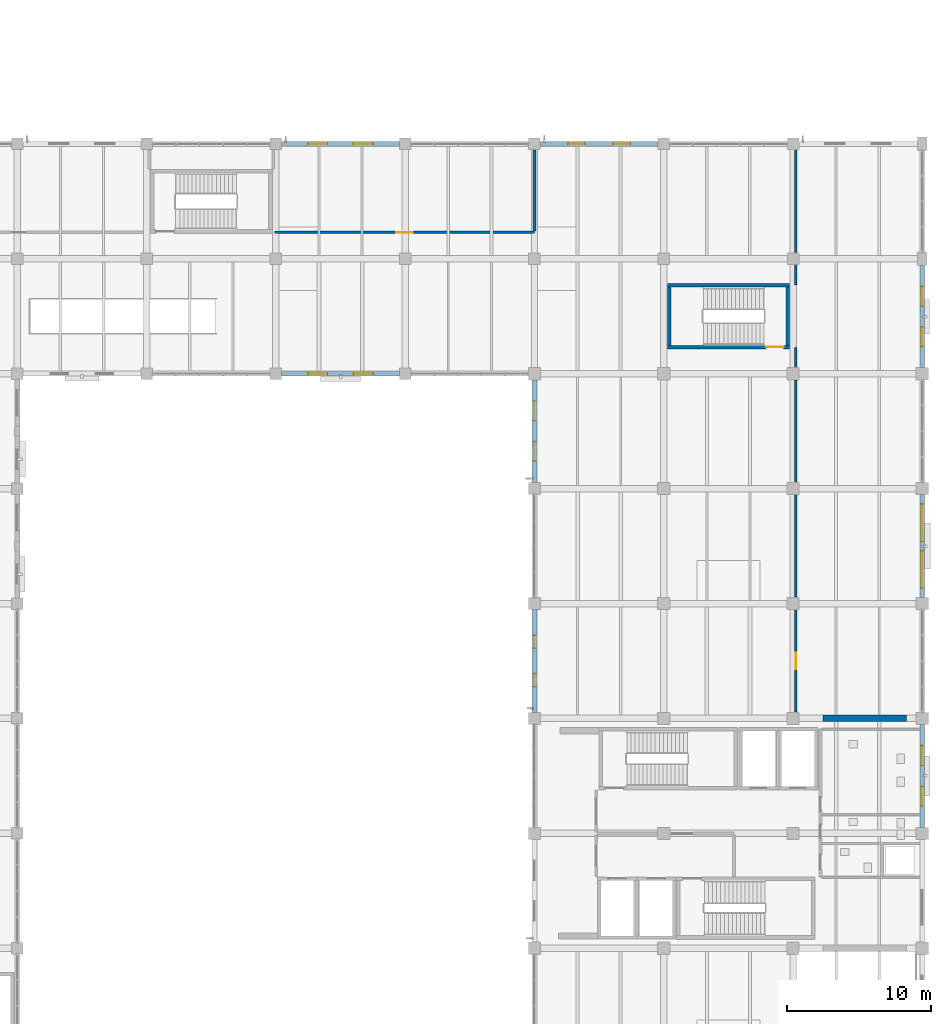
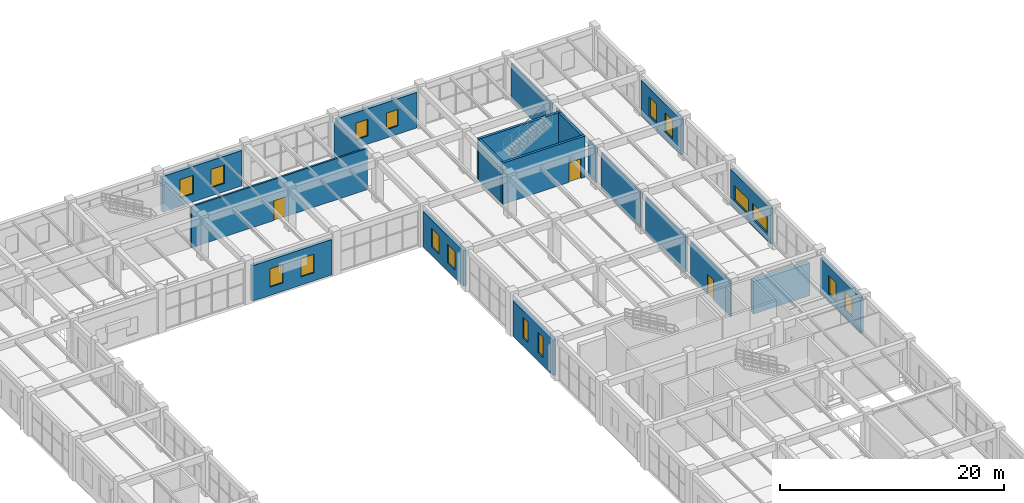
# One storey, part 159 of 178: 21 walls, 16 windows, 3 doors, 19 openings.
"""IFC4 building model written with IfcOpenShell, lengths in metres."""

from ifc_helpers import new_model, si_unit, derived_unit, direction, frame, frame_2d, origin, place, context, subcontext, project, spatial, rectangle, extrude, material, layer, layer_set, type_object, element, fill, save


model = new_model("IFC4")

# Units and contexts
model_context = context("Model", 3, precision=1e-05, world=origin(), true_north=direction((0.0, 1.0)))
body_context = subcontext(model_context, "Body", "Model", "MODEL_VIEW")
ifc_project = project(units=[si_unit("LENGTHUNIT", "METRE"), si_unit("AREAUNIT", "SQUARE_METRE"), si_unit("VOLUMEUNIT", "CUBIC_METRE"), si_unit("PLANEANGLEUNIT", "RADIAN"), si_unit("MASSUNIT", "GRAM", prefix="KILO"), derived_unit("THERMALTRANSMITTANCEUNIT", [(si_unit("MASSUNIT", "GRAM", prefix="KILO"), 1), (si_unit("TIMEUNIT", "SECOND"), -3), (si_unit("THERMODYNAMICTEMPERATUREUNIT", "KELVIN"), -1)])], contexts=[model_context])

# Site, building, storey
site_placement = place(None, origin())
site = spatial("IfcSite", under=ifc_project, at=site_placement, CompositionType="ELEMENT")
building_placement = place(site_placement, origin())
building = spatial("IfcBuilding", under=site, at=building_placement, Name="Zhenchuan Archway Interchange", CompositionType="ELEMENT")
storey_placement = place(building_placement, frame((0.0, 0.0, 5.39990234375)))
storey = spatial("IfcBuildingStorey", under=building, at=storey_placement, Name="L01", CompositionType="ELEMENT", Elevation=5.39990234375)

# Wall, openings, windows
ifc_material_1 = material(Name="Granite Stone Cladding", Category="masonry")
ifc_layer_1 = layer(ifc_material_1, 0.320068359375)
ifc_layer_set_1 = layer_set([ifc_layer_1], Name="Granite Stone Cladding")
wall_type_1 = type_object("IfcWallType", Name="EW_GRANITE_320", PredefinedType="STANDARD", material=ifc_layer_set_1)
wall_1_placement = place(storey_placement, frame((126.39794921875, 104.0, 0.0), z_axis=(0.0, 0.0, 1.0), x_axis=(1.0, 0.0, 0.0)))
wall_1 = element("IfcWall", 1, at=wall_1_placement, inside=storey, type_object=wall_type_1, Name="Exterior wall L01-049", PredefinedType="STANDARD", context=body_context, shape_type="SweptSolid", body=[
    extrude(rectangle(XDim=8.2041015625, YDim=0.320068359375, at=frame_2d((4.10205078125, 0.0))), origin(), (0.0, 0.0, 1.0), 3.860107421875),
])
opening_1_placement = place(wall_1_placement, frame((1.834716796875, 0.0, 0.89990234375)))
opening_1 = element("IfcOpeningElement", 2, at=opening_1_placement, cuts=wall_1, Name="Opening W-06", PredefinedType="OPENING", context=body_context, shape_type="SweptSolid", body=[
    extrude(rectangle(XDim=1.35009765625, YDim=2.0, at=frame_2d((0.675048828125, 1.0))), frame((0.0, 0.171875, 0.0), z_axis=(0.0, -1.0, 0.0), x_axis=(1.0, 0.0, 0.0)), (0.0, 0.0, 1.0), 0.343994140625),
])
opening_2_placement = place(wall_1_placement, frame((5.019287109375, 0.0, 0.89990234375)))
opening_2 = element("IfcOpeningElement", 3, at=opening_2_placement, cuts=wall_1, Name="Opening W-06", PredefinedType="OPENING", context=body_context, shape_type="SweptSolid", body=[
    extrude(rectangle(XDim=1.35009765625, YDim=2.0, at=frame_2d((0.675048828125, 1.0))), frame((0.0, 0.171875, 0.0), z_axis=(0.0, -1.0, 0.0), x_axis=(1.0, 0.0, 0.0)), (0.0, 0.0, 1.0), 0.343994140625),
])
ifc_material_2 = material(Name="Double Low-E Insulated Glazing", Category="glass")
window_type_1 = type_object("IfcWindowType", Name="WN_MOD_1350x2000", PartitioningType="SINGLE_PANEL", PredefinedType="WINDOW", material=ifc_material_2)
window_1_placement = place(opening_1_placement, origin())
window_1 = element("IfcWindow", 4, at=window_1_placement, inside=storey, type_object=window_type_1, Name="Window L01-0127", OverallHeight=2.0, OverallWidth=1.35009765625, PartitioningType="SINGLE_PANEL", PredefinedType="WINDOW", context=body_context, shape_type="SweptSolid", body=[
    extrude(rectangle(XDim=1.35009765625, YDim=2.0, at=frame_2d((0.675048828125, 1.0))), frame((0.0, 0.030029296875, 0.0), z_axis=(0.0, -1.0, 0.0), x_axis=(1.0, 0.0, 0.0)), (0.0, 0.0, 1.0), 0.06005859375),
])
fill(opening_1, window_1)
window_2_placement = place(opening_2_placement, origin())
window_2 = element("IfcWindow", 5, at=window_2_placement, inside=storey, type_object=window_type_1, Name="Window L01-0128", OverallHeight=2.0, OverallWidth=1.35009765625, PartitioningType="SINGLE_PANEL", PredefinedType="WINDOW", context=body_context, shape_type="SweptSolid", body=[
    extrude(rectangle(XDim=1.35009765625, YDim=2.0, at=frame_2d((0.675048828125, 1.0))), frame((0.0, 0.030029296875, 0.0), z_axis=(0.0, -1.0, 0.0), x_axis=(1.0, 0.0, 0.0)), (0.0, 0.0, 1.0), 0.06005859375),
])
fill(opening_2, window_2)

wall_2_placement = place(storey_placement, frame((144.39794921875, 104.0, 0.0), z_axis=(0.0, 0.0, 1.0), x_axis=(1.0, 0.0, 0.0)))
wall_2 = element("IfcWall", 6, at=wall_2_placement, inside=storey, type_object=wall_type_1, Name="Exterior wall L01-051", PredefinedType="STANDARD", context=body_context, shape_type="SweptSolid", body=[
    extrude(rectangle(XDim=8.2041015625, YDim=0.320068359375, at=frame_2d((4.10205078125, 0.0))), origin(), (0.0, 0.0, 1.0), 3.860107421875),
])
opening_3_placement = place(wall_2_placement, frame((1.934814453125, 0.0, 0.89990234375)))
opening_3 = element("IfcOpeningElement", 7, at=opening_3_placement, cuts=wall_2, Name="Opening W-07", PredefinedType="OPENING", context=body_context, shape_type="SweptSolid", body=[
    extrude(rectangle(XDim=1.199951171875, YDim=1.800048828125, at=frame_2d((0.60009765625, 0.89990234375))), frame((0.0, 0.171875, 0.0), z_axis=(0.0, -1.0, 0.0), x_axis=(1.0, 0.0, 0.0)), (0.0, 0.0, 1.0), 0.343994140625),
])
opening_4_placement = place(wall_2_placement, frame((5.0693359375, 0.0, 0.89990234375)))
opening_4 = element("IfcOpeningElement", 8, at=opening_4_placement, cuts=wall_2, Name="Opening W-07", PredefinedType="OPENING", context=body_context, shape_type="SweptSolid", body=[
    extrude(rectangle(XDim=1.199951171875, YDim=1.800048828125, at=frame_2d((0.60009765625, 0.89990234375))), frame((0.0, 0.171875, 0.0), z_axis=(0.0, -1.0, 0.0), x_axis=(1.0, 0.0, 0.0)), (0.0, 0.0, 1.0), 0.343994140625),
])
window_type_2 = type_object("IfcWindowType", Name="WN_MOD_1200x1800", PartitioningType="SINGLE_PANEL", PredefinedType="WINDOW", material=ifc_material_2)
window_3_placement = place(opening_3_placement, origin())
window_3 = element("IfcWindow", 9, at=window_3_placement, inside=storey, type_object=window_type_2, Name="Window L01-0129", OverallHeight=1.800048828125, OverallWidth=1.199951171875, PartitioningType="SINGLE_PANEL", PredefinedType="WINDOW", context=body_context, shape_type="SweptSolid", body=[
    extrude(rectangle(XDim=1.199951171875, YDim=1.800048828125, at=frame_2d((0.60009765625, 0.89990234375))), frame((0.0, 0.030029296875, 0.0), z_axis=(0.0, -1.0, 0.0), x_axis=(1.0, 0.0, 0.0)), (0.0, 0.0, 1.0), 0.06005859375),
])
fill(opening_3, window_3)
window_4_placement = place(opening_4_placement, origin())
window_4 = element("IfcWindow", 10, at=window_4_placement, inside=storey, type_object=window_type_2, Name="Window L01-0130", OverallHeight=1.800048828125, OverallWidth=1.199951171875, PartitioningType="SINGLE_PANEL", PredefinedType="WINDOW", context=body_context, shape_type="SweptSolid", body=[
    extrude(rectangle(XDim=1.199951171875, YDim=1.800048828125, at=frame_2d((0.60009765625, 0.89990234375))), frame((0.0, 0.030029296875, 0.0), z_axis=(0.0, -1.0, 0.0), x_axis=(1.0, 0.0, 0.0)), (0.0, 0.0, 1.0), 0.06005859375),
])
fill(opening_4, window_4)

wall_3_placement = place(storey_placement, frame((171.0, 95.527099609375, 0.0), z_axis=(0.0, 0.0, 1.0), x_axis=(0.0, -1.0, 0.0)))
wall_3 = element("IfcWall", 11, at=wall_3_placement, inside=storey, type_object=wall_type_1, Name="Exterior wall L01-055", PredefinedType="STANDARD", context=body_context, shape_type="SweptSolid", body=[
    extrude(rectangle(XDim=7.10400390625, YDim=0.320068359375, at=frame_2d((3.552001953125, 0.0))), origin(), (0.0, 0.0, 1.0), 3.860107421875),
])
opening_5_placement = place(wall_3_placement, frame((1.468017578125, 0.0, 0.89990234375)))
opening_5 = element("IfcOpeningElement", 12, at=opening_5_placement, cuts=wall_3, Name="Opening W-06", PredefinedType="OPENING", context=body_context, shape_type="SweptSolid", body=[
    extrude(rectangle(XDim=1.35009765625, YDim=2.0, at=frame_2d((0.675048828125, 1.0))), frame((0.0, 0.171875, 0.0), z_axis=(0.0, -1.0, 0.0), x_axis=(1.0, 0.0, 0.0)), (0.0, 0.0, 1.0), 0.343994140625),
])
opening_6_placement = place(wall_3_placement, frame((4.285888671875, 0.0, 0.89990234375)))
opening_6 = element("IfcOpeningElement", 13, at=opening_6_placement, cuts=wall_3, Name="Opening W-06", PredefinedType="OPENING", context=body_context, shape_type="SweptSolid", body=[
    extrude(rectangle(XDim=1.35009765625, YDim=2.0, at=frame_2d((0.675048828125, 1.0))), frame((0.0, 0.171875, 0.0), z_axis=(0.0, -1.0, 0.0), x_axis=(1.0, 0.0, 0.0)), (0.0, 0.0, 1.0), 0.343994140625),
])
window_5_placement = place(opening_5_placement, origin())
window_5 = element("IfcWindow", 14, at=window_5_placement, inside=storey, type_object=window_type_1, Name="Window L01-0133", OverallHeight=2.0, OverallWidth=1.35009765625, PartitioningType="SINGLE_PANEL", PredefinedType="WINDOW", context=body_context, shape_type="SweptSolid", body=[
    extrude(rectangle(XDim=1.35009765625, YDim=2.0, at=frame_2d((0.675048828125, 1.0))), frame((0.0, 0.030029296875, 0.0), z_axis=(0.0, -1.0, 0.0), x_axis=(1.0, 0.0, 0.0)), (0.0, 0.0, 1.0), 0.06005859375),
])
fill(opening_5, window_5)
window_6_placement = place(opening_6_placement, origin())
window_6 = element("IfcWindow", 15, at=window_6_placement, inside=storey, type_object=window_type_1, Name="Window L01-0134", OverallHeight=2.0, OverallWidth=1.35009765625, PartitioningType="SINGLE_PANEL", PredefinedType="WINDOW", context=body_context, shape_type="SweptSolid", body=[
    extrude(rectangle(XDim=1.35009765625, YDim=2.0, at=frame_2d((0.675048828125, 1.0))), frame((0.0, 0.030029296875, 0.0), z_axis=(0.0, -1.0, 0.0), x_axis=(1.0, 0.0, 0.0)), (0.0, 0.0, 1.0), 0.06005859375),
])
fill(opening_6, window_6)

wall_4_placement = place(storey_placement, frame((171.0, 79.576904296875, 0.0), z_axis=(0.0, 0.0, 1.0), x_axis=(0.0, -1.0, 0.0)))
wall_4 = element("IfcWall", 16, at=wall_4_placement, inside=storey, type_object=wall_type_1, Name="Exterior wall L01-057", PredefinedType="STANDARD", context=body_context, shape_type="SweptSolid", body=[
    extrude(rectangle(XDim=7.15380859375, YDim=0.320068359375, at=frame_2d((3.576904296875, 0.0))), origin(), (0.0, 0.0, 1.0), 3.860107421875),
])
opening_7_placement = place(wall_4_placement, frame((0.6513671875, 0.0, 0.89990234375)))
opening_7 = element("IfcOpeningElement", 17, at=opening_7_placement, cuts=wall_4, Name="Opening W-09", PredefinedType="OPENING", context=body_context, shape_type="SweptSolid", body=[
    extrude(rectangle(XDim=2.60009765625, YDim=1.60009765625, at=frame_2d((1.300048828125, 0.800048828125))), frame((0.0, 0.171875, 0.0), z_axis=(0.0, -1.0, 0.0), x_axis=(1.0, 0.0, 0.0)), (0.0, 0.0, 1.0), 0.343994140625),
])
opening_8_placement = place(wall_4_placement, frame((3.902587890625, 0.0, 0.89990234375)))
opening_8 = element("IfcOpeningElement", 18, at=opening_8_placement, cuts=wall_4, Name="Opening W-09", PredefinedType="OPENING", context=body_context, shape_type="SweptSolid", body=[
    extrude(rectangle(XDim=2.60009765625, YDim=1.60009765625, at=frame_2d((1.300048828125, 0.800048828125))), frame((0.0, 0.171875, 0.0), z_axis=(0.0, -1.0, 0.0), x_axis=(1.0, 0.0, 0.0)), (0.0, 0.0, 1.0), 0.343994140625),
])
window_type_3 = type_object("IfcWindowType", Name="WN_MOD_2600x1600", PartitioningType="SINGLE_PANEL", PredefinedType="WINDOW", material=ifc_material_2)
window_7_placement = place(opening_7_placement, origin())
window_7 = element("IfcWindow", 19, at=window_7_placement, inside=storey, type_object=window_type_3, Name="Window L01-0135", OverallHeight=1.60009765625, OverallWidth=2.60009765625, PartitioningType="SINGLE_PANEL", PredefinedType="WINDOW", context=body_context, shape_type="SweptSolid", body=[
    extrude(rectangle(XDim=2.60009765625, YDim=1.60009765625, at=frame_2d((1.300048828125, 0.800048828125))), frame((0.0, 0.030029296875, 0.0), z_axis=(0.0, -1.0, 0.0), x_axis=(1.0, 0.0, 0.0)), (0.0, 0.0, 1.0), 0.06005859375),
])
fill(opening_7, window_7)
window_8_placement = place(opening_8_placement, origin())
window_8 = element("IfcWindow", 20, at=window_8_placement, inside=storey, type_object=window_type_3, Name="Window L01-0136", OverallHeight=1.60009765625, OverallWidth=2.60009765625, PartitioningType="SINGLE_PANEL", PredefinedType="WINDOW", context=body_context, shape_type="SweptSolid", body=[
    extrude(rectangle(XDim=2.60009765625, YDim=1.60009765625, at=frame_2d((1.300048828125, 0.800048828125))), frame((0.0, 0.030029296875, 0.0), z_axis=(0.0, -1.0, 0.0), x_axis=(1.0, 0.0, 0.0)), (0.0, 0.0, 1.0), 0.06005859375),
])
fill(opening_8, window_8)

wall_5_placement = place(storey_placement, frame((171.0, 63.576904296875, 0.0), z_axis=(0.0, 0.0, 1.0), x_axis=(0.0, -1.0, 0.0)))
wall_5 = element("IfcWall", 21, at=wall_5_placement, inside=storey, type_object=wall_type_1, Name="Exterior wall L01-059", PredefinedType="STANDARD", context=body_context, shape_type="SweptSolid", body=[
    extrude(rectangle(XDim=7.15380859375, YDim=0.320068359375, at=frame_2d((3.576904296875, 0.0))), origin(), (0.0, 0.0, 1.0), 3.860107421875),
])
opening_9_placement = place(wall_5_placement, frame((1.484619140625, 0.0, 0.89990234375)))
opening_9 = element("IfcOpeningElement", 22, at=opening_9_placement, cuts=wall_5, Name="Opening W-06", PredefinedType="OPENING", context=body_context, shape_type="SweptSolid", body=[
    extrude(rectangle(XDim=1.35009765625, YDim=2.0, at=frame_2d((0.675048828125, 1.0))), frame((0.0, 0.171875, 0.0), z_axis=(0.0, -1.0, 0.0), x_axis=(1.0, 0.0, 0.0)), (0.0, 0.0, 1.0), 0.343994140625),
])
opening_10_placement = place(wall_5_placement, frame((4.3193359375, 0.0, 0.89990234375)))
opening_10 = element("IfcOpeningElement", 23, at=opening_10_placement, cuts=wall_5, Name="Opening W-06", PredefinedType="OPENING", context=body_context, shape_type="SweptSolid", body=[
    extrude(rectangle(XDim=1.35009765625, YDim=2.0, at=frame_2d((0.675048828125, 1.0))), frame((0.0, 0.171875, 0.0), z_axis=(0.0, -1.0, 0.0), x_axis=(1.0, 0.0, 0.0)), (0.0, 0.0, 1.0), 0.343994140625),
])
window_9_placement = place(opening_9_placement, origin())
window_9 = element("IfcWindow", 24, at=window_9_placement, inside=storey, type_object=window_type_1, Name="Window L01-0137", OverallHeight=2.0, OverallWidth=1.35009765625, PartitioningType="SINGLE_PANEL", PredefinedType="WINDOW", context=body_context, shape_type="SweptSolid", body=[
    extrude(rectangle(XDim=1.35009765625, YDim=2.0, at=frame_2d((0.675048828125, 1.0))), frame((0.0, 0.030029296875, 0.0), z_axis=(0.0, -1.0, 0.0), x_axis=(1.0, 0.0, 0.0)), (0.0, 0.0, 1.0), 0.06005859375),
])
fill(opening_9, window_9)
window_10_placement = place(opening_10_placement, origin())
window_10 = element("IfcWindow", 25, at=window_10_placement, inside=storey, type_object=window_type_1, Name="Window L01-0138", OverallHeight=2.0, OverallWidth=1.35009765625, PartitioningType="SINGLE_PANEL", PredefinedType="WINDOW", context=body_context, shape_type="SweptSolid", body=[
    extrude(rectangle(XDim=1.35009765625, YDim=2.0, at=frame_2d((0.675048828125, 1.0))), frame((0.0, 0.030029296875, 0.0), z_axis=(0.0, -1.0, 0.0), x_axis=(1.0, 0.0, 0.0)), (0.0, 0.0, 1.0), 0.06005859375),
])
fill(opening_10, window_10)

wall_6_placement = place(storey_placement, frame((144.0, 64.423095703125, 0.0), z_axis=(0.0, 0.0, 1.0), x_axis=(0.0, 1.0, 0.0)))
wall_6 = element("IfcWall", 26, at=wall_6_placement, inside=storey, type_object=wall_type_1, Name="Exterior wall L01-129", PredefinedType="STANDARD", context=body_context, shape_type="SweptSolid", body=[
    extrude(rectangle(XDim=7.15380859375, YDim=0.320068359375, at=frame_2d((3.576904296875, 0.0))), origin(), (0.0, 0.0, 1.0), 3.860107421875),
])
opening_11_placement = place(wall_6_placement, frame((1.78466796875, 0.0, 0.89990234375)))
opening_11 = element("IfcOpeningElement", 27, at=opening_11_placement, cuts=wall_6, Name="Opening W-12", PredefinedType="OPENING", context=body_context, shape_type="SweptSolid", body=[
    extrude(rectangle(XDim=0.89990234375, YDim=2.199951171875, at=frame_2d((0.449951171875, 1.10009765625))), frame((0.0, 0.171875, 0.0), z_axis=(0.0, -1.0, 0.0), x_axis=(1.0, 0.0, 0.0)), (0.0, 0.0, 1.0), 0.343994140625),
])
opening_12_placement = place(wall_6_placement, frame((4.46923828125, 0.0, 0.89990234375)))
opening_12 = element("IfcOpeningElement", 28, at=opening_12_placement, cuts=wall_6, Name="Opening W-12", PredefinedType="OPENING", context=body_context, shape_type="SweptSolid", body=[
    extrude(rectangle(XDim=0.89990234375, YDim=2.199951171875, at=frame_2d((0.449951171875, 1.10009765625))), frame((0.0, 0.171875, 0.0), z_axis=(0.0, -1.0, 0.0), x_axis=(1.0, 0.0, 0.0)), (0.0, 0.0, 1.0), 0.343994140625),
])
window_type_4 = type_object("IfcWindowType", Name="WN_SLOT_900x2200", PartitioningType="SINGLE_PANEL", PredefinedType="WINDOW", material=ifc_material_2)
window_11_placement = place(opening_11_placement, origin())
window_11 = element("IfcWindow", 29, at=window_11_placement, inside=storey, type_object=window_type_4, Name="Window L01-0174", OverallHeight=2.199951171875, OverallWidth=0.89990234375, PartitioningType="SINGLE_PANEL", PredefinedType="WINDOW", context=body_context, shape_type="SweptSolid", body=[
    extrude(rectangle(XDim=0.89990234375, YDim=2.199951171875, at=frame_2d((0.449951171875, 1.10009765625))), frame((0.0, 0.030029296875, 0.0), z_axis=(0.0, -1.0, 0.0), x_axis=(1.0, 0.0, 0.0)), (0.0, 0.0, 1.0), 0.06005859375),
])
fill(opening_11, window_11)
window_12_placement = place(opening_12_placement, origin())
window_12 = element("IfcWindow", 30, at=window_12_placement, inside=storey, type_object=window_type_4, Name="Window L01-0175", OverallHeight=2.199951171875, OverallWidth=0.89990234375, PartitioningType="SINGLE_PANEL", PredefinedType="WINDOW", context=body_context, shape_type="SweptSolid", body=[
    extrude(rectangle(XDim=0.89990234375, YDim=2.199951171875, at=frame_2d((0.449951171875, 1.10009765625))), frame((0.0, 0.030029296875, 0.0), z_axis=(0.0, -1.0, 0.0), x_axis=(1.0, 0.0, 0.0)), (0.0, 0.0, 1.0), 0.06005859375),
])
fill(opening_12, window_12)

wall_7_placement = place(storey_placement, frame((144.0, 80.423095703125, 0.0), z_axis=(0.0, 0.0, 1.0), x_axis=(0.0, 1.0, 0.0)))
wall_7 = element("IfcWall", 31, at=wall_7_placement, inside=storey, type_object=wall_type_1, Name="Exterior wall L01-131", PredefinedType="STANDARD", context=body_context, shape_type="SweptSolid", body=[
    extrude(rectangle(XDim=7.15380859375, YDim=0.320068359375, at=frame_2d((3.576904296875, 0.0))), origin(), (0.0, 0.0, 1.0), 3.860107421875),
])
opening_13_placement = place(wall_7_placement, frame((1.484619140625, 0.0, 0.89990234375)))
opening_13 = element("IfcOpeningElement", 32, at=opening_13_placement, cuts=wall_7, Name="Opening W-06", PredefinedType="OPENING", context=body_context, shape_type="SweptSolid", body=[
    extrude(rectangle(XDim=1.35009765625, YDim=2.0, at=frame_2d((0.675048828125, 1.0))), frame((0.0, 0.171875, 0.0), z_axis=(0.0, -1.0, 0.0), x_axis=(1.0, 0.0, 0.0)), (0.0, 0.0, 1.0), 0.343994140625),
])
opening_14_placement = place(wall_7_placement, frame((4.3193359375, 0.0, 0.89990234375)))
opening_14 = element("IfcOpeningElement", 33, at=opening_14_placement, cuts=wall_7, Name="Opening W-06", PredefinedType="OPENING", context=body_context, shape_type="SweptSolid", body=[
    extrude(rectangle(XDim=1.35009765625, YDim=2.0, at=frame_2d((0.675048828125, 1.0))), frame((0.0, 0.171875, 0.0), z_axis=(0.0, -1.0, 0.0), x_axis=(1.0, 0.0, 0.0)), (0.0, 0.0, 1.0), 0.343994140625),
])
window_13_placement = place(opening_13_placement, origin())
window_13 = element("IfcWindow", 34, at=window_13_placement, inside=storey, type_object=window_type_1, Name="Window L01-0176", OverallHeight=2.0, OverallWidth=1.35009765625, PartitioningType="SINGLE_PANEL", PredefinedType="WINDOW", context=body_context, shape_type="SweptSolid", body=[
    extrude(rectangle(XDim=1.35009765625, YDim=2.0, at=frame_2d((0.675048828125, 1.0))), frame((0.0, 0.030029296875, 0.0), z_axis=(0.0, -1.0, 0.0), x_axis=(1.0, 0.0, 0.0)), (0.0, 0.0, 1.0), 0.06005859375),
])
fill(opening_13, window_13)
window_14_placement = place(opening_14_placement, origin())
window_14 = element("IfcWindow", 35, at=window_14_placement, inside=storey, type_object=window_type_1, Name="Window L01-0177", OverallHeight=2.0, OverallWidth=1.35009765625, PartitioningType="SINGLE_PANEL", PredefinedType="WINDOW", context=body_context, shape_type="SweptSolid", body=[
    extrude(rectangle(XDim=1.35009765625, YDim=2.0, at=frame_2d((0.675048828125, 1.0))), frame((0.0, 0.030029296875, 0.0), z_axis=(0.0, -1.0, 0.0), x_axis=(1.0, 0.0, 0.0)), (0.0, 0.0, 1.0), 0.06005859375),
])
fill(opening_14, window_14)

wall_8_placement = place(storey_placement, frame((134.60205078125, 88.0, 0.0), z_axis=(0.0, 0.0, 1.0), x_axis=(-1.0, 0.0, 0.0)))
wall_8 = element("IfcWall", 36, at=wall_8_placement, inside=storey, type_object=wall_type_1, Name="Exterior wall L01-133", PredefinedType="STANDARD", context=body_context, shape_type="SweptSolid", body=[
    extrude(rectangle(XDim=8.2041015625, YDim=0.320068359375, at=frame_2d((4.10205078125, 0.0))), origin(), (0.0, 0.0, 1.0), 3.860107421875),
])
opening_15_placement = place(wall_8_placement, frame((1.834716796875, 0.0, 0.89990234375)))
opening_15 = element("IfcOpeningElement", 37, at=opening_15_placement, cuts=wall_8, Name="Opening W-06", PredefinedType="OPENING", context=body_context, shape_type="SweptSolid", body=[
    extrude(rectangle(XDim=1.35009765625, YDim=2.0, at=frame_2d((0.675048828125, 1.0))), frame((0.0, 0.171875, 0.0), z_axis=(0.0, -1.0, 0.0), x_axis=(1.0, 0.0, 0.0)), (0.0, 0.0, 1.0), 0.343994140625),
])
opening_16_placement = place(wall_8_placement, frame((5.019287109375, 0.0, 0.89990234375)))
opening_16 = element("IfcOpeningElement", 38, at=opening_16_placement, cuts=wall_8, Name="Opening W-06", PredefinedType="OPENING", context=body_context, shape_type="SweptSolid", body=[
    extrude(rectangle(XDim=1.35009765625, YDim=2.0, at=frame_2d((0.675048828125, 1.0))), frame((0.0, 0.171875, 0.0), z_axis=(0.0, -1.0, 0.0), x_axis=(1.0, 0.0, 0.0)), (0.0, 0.0, 1.0), 0.343994140625),
])
window_15_placement = place(opening_15_placement, origin())
window_15 = element("IfcWindow", 39, at=window_15_placement, inside=storey, type_object=window_type_1, Name="Window L01-0178", OverallHeight=2.0, OverallWidth=1.35009765625, PartitioningType="SINGLE_PANEL", PredefinedType="WINDOW", context=body_context, shape_type="SweptSolid", body=[
    extrude(rectangle(XDim=1.35009765625, YDim=2.0, at=frame_2d((0.675048828125, 1.0))), frame((0.0, 0.030029296875, 0.0), z_axis=(0.0, -1.0, 0.0), x_axis=(1.0, 0.0, 0.0)), (0.0, 0.0, 1.0), 0.06005859375),
])
fill(opening_15, window_15)
window_16_placement = place(opening_16_placement, origin())
window_16 = element("IfcWindow", 40, at=window_16_placement, inside=storey, type_object=window_type_1, Name="Window L01-0179", OverallHeight=2.0, OverallWidth=1.35009765625, PartitioningType="SINGLE_PANEL", PredefinedType="WINDOW", context=body_context, shape_type="SweptSolid", body=[
    extrude(rectangle(XDim=1.35009765625, YDim=2.0, at=frame_2d((0.675048828125, 1.0))), frame((0.0, 0.030029296875, 0.0), z_axis=(0.0, -1.0, 0.0), x_axis=(1.0, 0.0, 0.0)), (0.0, 0.0, 1.0), 0.06005859375),
])
fill(opening_16, window_16)

# Wall
ifc_material_3 = material(Name="Concrete C50", Category="concrete")
ifc_layer_2 = layer(ifc_material_3, 0.449951171875)
ifc_layer_set_2 = layer_set([ifc_layer_2], Name="Concrete C50")
wall_type_2 = type_object("IfcWallType", Name="WL_CORE_450", PredefinedType="SHEAR", material=ifc_layer_set_2)
wall_9_placement = place(storey_placement, frame((164.10009765625, 64.0, 0.0), z_axis=(0.0, 0.0, 1.0), x_axis=(1.0, 0.0, 0.0)))
element("IfcWall", 41, at=wall_9_placement, inside=storey, type_object=wall_type_2, Name="Operations lateral shear wall E-N (L01)", PredefinedType="SHEAR", context=body_context, shape_type="SweptSolid", body=[
    extrude(rectangle(XDim=5.7998046875, YDim=0.449951171875, at=frame_2d((2.89990234375, 0.0))), origin(), (0.0, 0.0, 1.0), 3.530029296875),
])

# Wall, opening, door
ifc_material_4 = material(Name="Concrete Block Masonry", Category="masonry")
ifc_layer_3 = layer(ifc_material_4, 0.179931640625)
ifc_layer_set_3 = layer_set([ifc_layer_3], Name="Concrete Block Masonry")
wall_type_3 = type_object("IfcWallType", Name="WL_PART_180", PredefinedType="STANDARD", material=ifc_layer_set_3)
wall_10_placement = place(storey_placement, frame((125.89501953125, 97.840087890625, 0.0), z_axis=(0.0, 0.0, 1.0), x_axis=(1.0, 0.0, 0.0)))
wall_10 = element("IfcWall", 42, at=wall_10_placement, inside=storey, type_object=wall_type_3, Name="Driver Roster Reading Room S partition (L01)", PredefinedType="STANDARD", context=body_context, shape_type="SweptSolid", body=[
    extrude(rectangle(XDim=18.10498046875, YDim=0.179931640625, at=frame_2d((9.052490234375, 0.0))), origin(), (0.0, 0.0, 1.0), 4.47998046875),
])
opening_17_placement = place(wall_10_placement, frame((8.4775390625, 0.0, 0.0)))
opening_17 = element("IfcOpeningElement", 43, at=opening_17_placement, cuts=wall_10, Name="Opening ID-06", PredefinedType="OPENING", context=body_context, shape_type="SweptSolid", body=[
    extrude(rectangle(XDim=1.14990234375, YDim=2.14990234375, at=frame_2d((0.574951171875, 1.074951171875))), frame((0.0, 0.10205078125, 0.0), z_axis=(0.0, -1.0, 0.0), x_axis=(1.0, 0.0, 0.0)), (0.0, 0.0, 1.0), 0.203857421875),
])
ifc_material_5 = material(Name="Hardwood Timber", Category="wood")
door_type_1 = type_object("IfcDoorType", Name="DR_CTRL_115", OperationType="NOTDEFINED", PredefinedType="DOOR", material=ifc_material_5)
door_1_placement = place(opening_17_placement, origin())
door_1 = element("IfcDoor", 44, at=door_1_placement, inside=storey, type_object=door_type_1, Name="Driver Roster Reading Room door (L01)", OperationType="SINGLE_SWING_LEFT", OverallHeight=2.14990234375, OverallWidth=1.14990234375, PredefinedType="DOOR", context=body_context, shape_type="SweptSolid", body=[
    extrude(rectangle(XDim=1.14990234375, YDim=2.14990234375, at=frame_2d((0.574951171875, 1.074951171875))), frame((0.0, 0.02490234375, 0.0), z_axis=(0.0, -1.0, 0.0), x_axis=(1.0, 0.0, 0.0)), (0.0, 0.0, 1.0), 0.050048828125),
])
fill(opening_17, door_1)

# Wall
wall_11_placement = place(storey_placement, frame((144.0, 97.93994140625, 0.0), z_axis=(0.0, 0.0, 1.0), x_axis=(0.0, 1.0, 0.0)))
element("IfcWall", 45, at=wall_11_placement, inside=storey, type_object=wall_type_3, Name="Driver Roster Reading Room E partition (L01)", PredefinedType="STANDARD", context=body_context, shape_type="SweptSolid", body=[
    extrude(rectangle(XDim=5.635009765625, YDim=0.179931640625, at=frame_2d((2.8173828125, 0.0))), origin(), (0.0, 0.0, 1.0), 3.860107421875),
])

# Wall, opening, door
wall_12_placement = place(storey_placement, frame((162.199951171875, 64.449951171875, 0.0), z_axis=(0.0, 0.0, 1.0), x_axis=(0.0, 1.0, 0.0)))
wall_12 = element("IfcWall", 46, at=wall_12_placement, inside=storey, type_object=wall_type_3, Name="Driver Simulator Training Suite W partition (L01)", PredefinedType="STANDARD", context=body_context, shape_type="SweptSolid", body=[
    extrude(rectangle(XDim=7.10009765625, YDim=0.179931640625, at=frame_2d((3.550048828125, 0.0))), origin(), (0.0, 0.0, 1.0), 3.860107421875),
])
opening_18_placement = place(wall_12_placement, frame((2.97509765625, 0.0, 0.0)))
opening_18 = element("IfcOpeningElement", 47, at=opening_18_placement, cuts=wall_12, Name="Opening ID-06", PredefinedType="OPENING", context=body_context, shape_type="SweptSolid", body=[
    extrude(rectangle(XDim=1.14990234375, YDim=2.14990234375, at=frame_2d((0.574951171875, 1.074951171875))), frame((0.0, 0.10205078125, 0.0), z_axis=(0.0, -1.0, 0.0), x_axis=(1.0, 0.0, 0.0)), (0.0, 0.0, 1.0), 0.203857421875),
])
door_2_placement = place(opening_18_placement, origin())
door_2 = element("IfcDoor", 48, at=door_2_placement, inside=storey, type_object=door_type_1, Name="Driver Simulator Training Suite door (L01)", OperationType="SINGLE_SWING_LEFT", OverallHeight=2.14990234375, OverallWidth=1.14990234375, PredefinedType="DOOR", context=body_context, shape_type="SweptSolid", body=[
    extrude(rectangle(XDim=1.14990234375, YDim=2.14990234375, at=frame_2d((0.574951171875, 1.074951171875))), frame((0.0, 0.02490234375, 0.0), z_axis=(0.0, -1.0, 0.0), x_axis=(1.0, 0.0, 0.0)), (0.0, 0.0, 1.0), 0.050048828125),
])
fill(opening_18, door_2)

# Walls
for number, where, z_axis, x_axis, name in (
    (49, (162.199951171875, 72.449951171875, 0.0), (0.0, 0.0, 1.0), (0.0, 1.0, 0.0), "Driver Simulator Training Suite W partition (L01)"),
    (50, (162.199951171875, 80.449951171875, 0.0), (0.0, 0.0, 1.0), (0.0, 1.0, 0.0), "Driver Simulator Training Suite W partition (L01)"),
):
    element("IfcWall", number, at=place(storey_placement, frame(where, z_axis=z_axis, x_axis=x_axis)), inside=storey, type_object=wall_type_3, Name=name, PredefinedType="STANDARD", context=body_context, shape_type="SweptSolid", body=[
        extrude(rectangle(XDim=7.10009765625, YDim=0.179931640625, at=frame_2d((3.550048828125, 0.0))), origin(), (0.0, 0.0, 1.0), 3.860107421875),
    ])
wall_13_placement = place(storey_placement, frame((162.199951171875, 88.449951171875, 0.0), z_axis=(0.0, 0.0, 1.0), x_axis=(0.0, 1.0, 0.0)))
element("IfcWall", 51, at=wall_13_placement, inside=storey, type_object=wall_type_3, Name="Driver Simulator Training Suite W partition (L01)", PredefinedType="STANDARD", context=body_context, shape_type="SweptSolid", body=[
    extrude(rectangle(XDim=1.375, YDim=0.179931640625, at=frame_2d((0.6875, 0.0))), origin(), (0.0, 0.0, 1.0), 3.860107421875),
])
wall_14_placement = place(storey_placement, frame((162.199951171875, 94.175048828125, 0.0), z_axis=(0.0, 0.0, 1.0), x_axis=(0.0, 1.0, 0.0)))
element("IfcWall", 52, at=wall_14_placement, inside=storey, type_object=wall_type_3, Name="Driver Simulator Training Suite W partition (L01)", PredefinedType="STANDARD", context=body_context, shape_type="SweptSolid", body=[
    extrude(rectangle(XDim=1.39990234375, YDim=0.179931640625, at=frame_2d((0.699951171875, 0.0))), origin(), (0.0, 0.0, 1.0), 3.860107421875),
])
wall_15_placement = place(storey_placement, frame((162.199951171875, 96.425048828125, 0.0), z_axis=(0.0, 0.0, 1.0), x_axis=(0.0, 1.0, 0.0)))
element("IfcWall", 53, at=wall_15_placement, inside=storey, type_object=wall_type_3, Name="Driver Simulator Training Suite W partition (L01)", PredefinedType="STANDARD", context=body_context, shape_type="SweptSolid", body=[
    extrude(rectangle(XDim=7.14990234375, YDim=0.179931640625, at=frame_2d((3.574951171875, 0.0))), origin(), (0.0, 0.0, 1.0), 3.860107421875),
])

# Wall, opening, door
ifc_material_6 = material(Name="Concrete C40", Category="concrete")
ifc_layer_4 = layer(ifc_material_6, 0.25)
ifc_layer_set_4 = layer_set([ifc_layer_4], Name="Concrete C40")
wall_type_4 = type_object("IfcWallType", Name="WL_STAIR_250", PredefinedType="SHEAR", material=ifc_layer_set_4)
wall_16_placement = place(storey_placement, frame((153.2548828125, 89.85009765625, 0.0), z_axis=(0.0, 0.0, 1.0), x_axis=(1.0, 0.0, 0.0)))
wall_16 = element("IfcWall", 54, at=wall_16_placement, inside=storey, type_object=wall_type_4, Name="Stair ST-O3 south wall (L01)", PredefinedType="SHEAR", context=body_context, shape_type="SweptSolid", body=[
    extrude(rectangle(XDim=8.490234375, YDim=0.25, at=frame_2d((4.2451171875, 0.0))), origin(), (0.0, 0.0, 1.0), 4.47998046875),
])
opening_19_placement = place(wall_16_placement, frame((6.844970703125, 0.0, 0.0)))
opening_19 = element("IfcOpeningElement", 55, at=opening_19_placement, cuts=wall_16, Name="Opening FD-01", PredefinedType="OPENING", context=body_context, shape_type="SweptSolid", body=[
    extrude(rectangle(XDim=1.25, YDim=2.14990234375, at=frame_2d((0.625, 1.074951171875))), frame((0.0, 0.136962890625, 0.0), z_axis=(0.0, -1.0, 0.0), x_axis=(1.0, 0.0, 0.0)), (0.0, 0.0, 1.0), 0.27392578125),
])
ifc_material_7 = material(Name="Painted Galvanised Steel", Category="steel")
door_type_2 = type_object("IfcDoorType", Name="DR_STAIR_FD90", OperationType="NOTDEFINED", PredefinedType="DOOR", material=ifc_material_7)
door_3_placement = place(opening_19_placement, origin())
door_3 = element("IfcDoor", 56, at=door_3_placement, inside=storey, type_object=door_type_2, Name="Stair ST-O3 fire door (L01)", OperationType="SINGLE_SWING_RIGHT", OverallHeight=2.14990234375, OverallWidth=1.25, PredefinedType="DOOR", context=body_context, shape_type="SweptSolid", body=[
    extrude(rectangle(XDim=1.25, YDim=2.14990234375, at=frame_2d((0.625, 1.074951171875))), frame((0.0, 0.02490234375, 0.0), z_axis=(0.0, -1.0, 0.0), x_axis=(1.0, 0.0, 0.0)), (0.0, 0.0, 1.0), 0.050048828125),
])
fill(opening_19, door_3)

# Walls
wall_17_placement = place(storey_placement, frame((161.7451171875, 94.14990234375, 0.0), z_axis=(0.0, 0.0, 1.0), x_axis=(-1.0, 0.0, 0.0)))
element("IfcWall", 57, at=wall_17_placement, inside=storey, type_object=wall_type_4, Name="Stair ST-O3 north wall (L01)", PredefinedType="SHEAR", context=body_context, shape_type="SweptSolid", body=[
    extrude(rectangle(XDim=8.490234375, YDim=0.25, at=frame_2d((4.2451171875, 0.0))), origin(), (0.0, 0.0, 1.0), 4.47998046875),
])
for number, where, z_axis, x_axis, name in (
    (58, (153.3798828125, 94.02490234375, 0.0), (0.0, 0.0, 1.0), (0.0, -1.0, 0.0), "Stair ST-O3 west wall (L01)"),
    (59, (161.6201171875, 89.97509765625, 0.0), (0.0, 0.0, 1.0), (0.0, 1.0, 0.0), "Stair ST-O3 east wall (L01)"),
):
    element("IfcWall", number, at=place(storey_placement, frame(where, z_axis=z_axis, x_axis=x_axis)), inside=storey, type_object=wall_type_4, Name=name, PredefinedType="SHEAR", context=body_context, shape_type="SweptSolid", body=[
        extrude(rectangle(XDim=4.0498046875, YDim=0.25, at=frame_2d((2.02490234375, 0.0))), origin(), (0.0, 0.0, 1.0), 4.47998046875),
    ])

save(model, "model.ifc")
